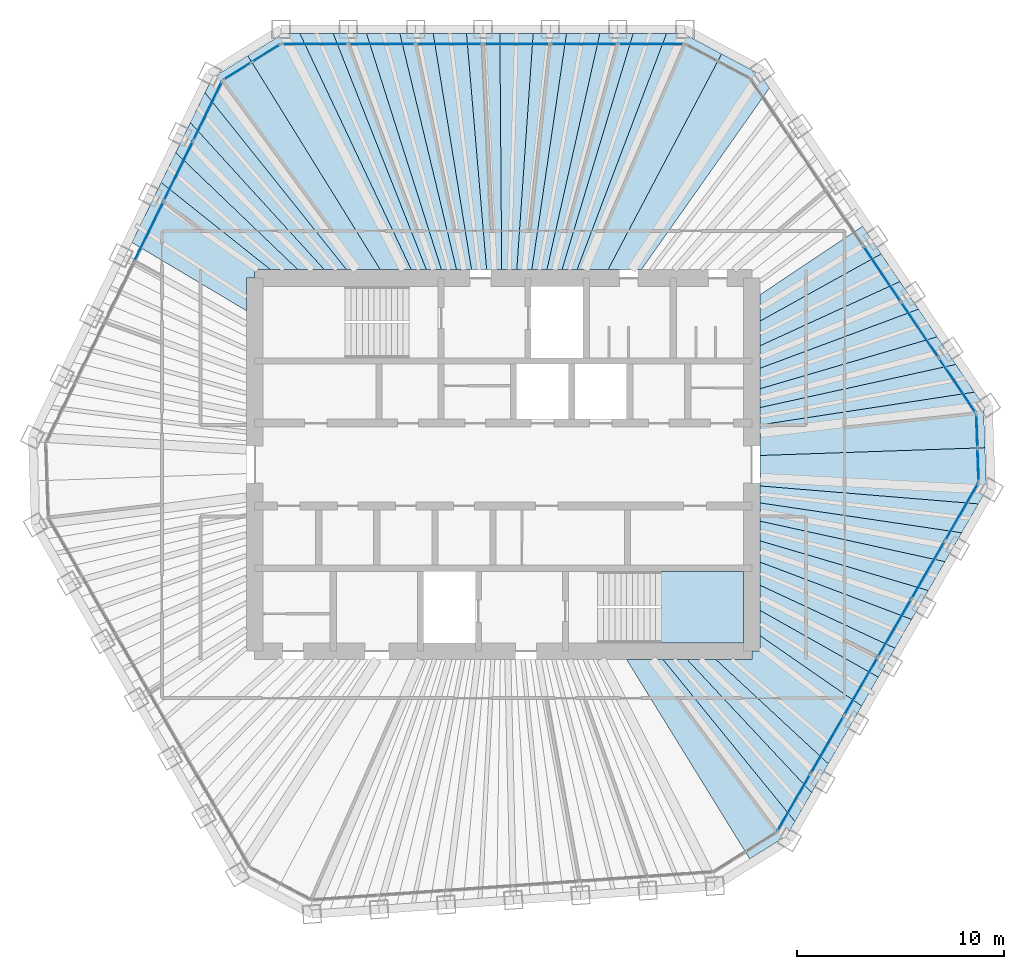
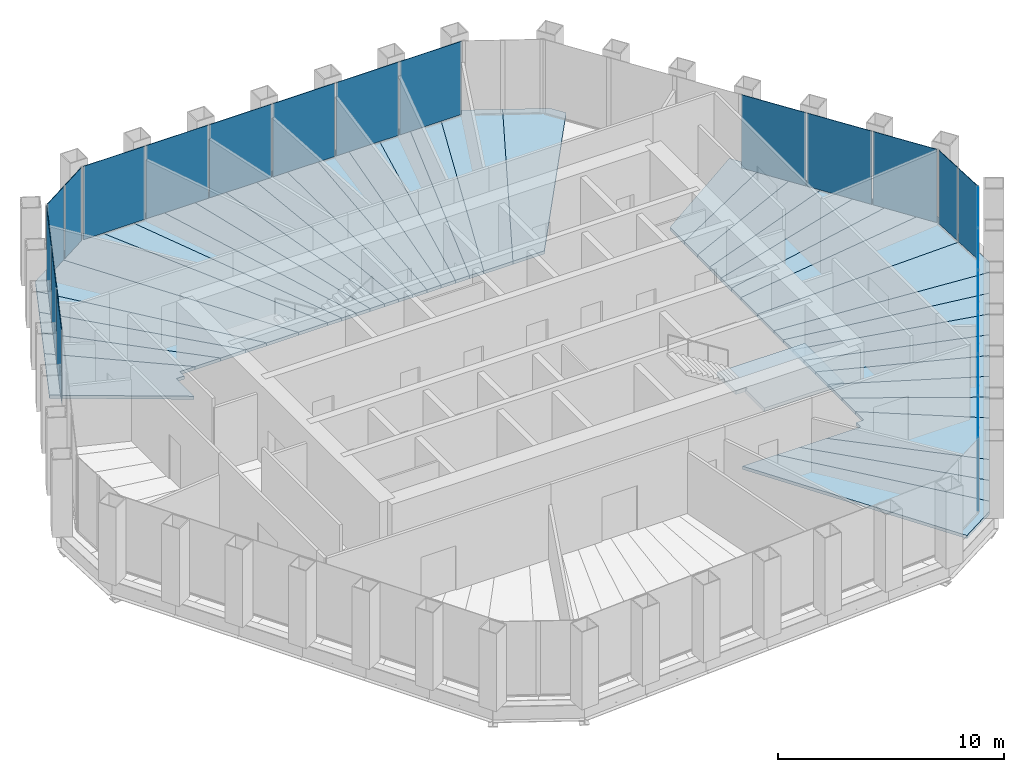
# One storey, part 10 of 15: 39 slabs, 22 plates, 7 elements without a shape of their own.
"""IFC4 building model written with IfcOpenShell, lengths in metres."""

from ifc_helpers import new_model, si_unit, direction, frame, origin, origin_2d, place, context, subcontext, project, spatial, polyline, rectangle, outline, extrude, material, layer, layer_set, type_object, element, aggregate, save


model = new_model("IFC4")

# Units and contexts
model_context = context("Model", 3, precision=1e-05, world=origin(), true_north=direction((0.0, 1.0)))
body_context = subcontext(model_context, "Body", "Model", "MODEL_VIEW")
ifc_project = project(units=[si_unit("LENGTHUNIT", "METRE"), si_unit("AREAUNIT", "SQUARE_METRE"), si_unit("VOLUMEUNIT", "CUBIC_METRE"), si_unit("PLANEANGLEUNIT", "RADIAN"), si_unit("MASSUNIT", "GRAM", prefix="KILO")], contexts=[model_context])

# Site, building, storey
site_placement = place(None, origin())
site = spatial("IfcSite", under=ifc_project, at=site_placement, CompositionType="ELEMENT")
building_placement = place(site_placement, origin())
building = spatial("IfcBuilding", under=site, at=building_placement, Name="Qingtian Harvest Tower", CompositionType="ELEMENT")
storey_placement = place(building_placement, frame((0.0, 0.0, 312.39990234375)))
storey = spatial("IfcBuildingStorey", under=building, at=storey_placement, Name="L69", CompositionType="ELEMENT", Elevation=312.39990234375)

# Slabs
ifc_material_1 = material(Name="Concrete fc' 35 MPa", Category="concrete")
ifc_layer_1 = layer(ifc_material_1, 0.169921875)
ifc_layer_set_1 = layer_set([ifc_layer_1], Name="Composite floor slab FS17 170")
slab_type_1 = type_object("IfcSlabType", Name="Composite floor slab FS17 170", PredefinedType="FLOOR", material=ifc_layer_set_1)
slab_1_placement = place(storey_placement, frame((0.0, 0.0, -0.169921875)))
element("IfcSlab", 1, at=slab_1_placement, inside=storey, type_object=slab_type_1, Name="Floor slab L69 panel D27", PredefinedType="FLOOR", context=body_context, shape_type="SweptSolid", body=[
    extrude(outline(polyline([(5.945556640625, -9.39990234375), (7.703125, -9.39990234375), (14.077880859375, -17.2265625), (13.6865234375, -17.904296875), (11.890380859375, -19.026611328125), (5.945556640625, -9.39990234375)])), origin(), (0.0, 0.0, 1.0), 0.169921875),
])
slab_2_placement = place(storey_placement, frame((0.0, 0.0, -0.169921875)))
element("IfcSlab", 2, at=slab_2_placement, inside=storey, type_object=slab_type_1, Name="Floor slab L69 panel D28", PredefinedType="FLOOR", context=body_context, shape_type="SweptSolid", body=[
    extrude(outline(polyline([(8.86279296875, -9.39990234375), (14.88232421875, -15.8330078125), (14.077880859375, -17.2265625), (7.703125, -9.39990234375), (8.86279296875, -9.39990234375)])), origin(), (0.0, 0.0, 1.0), 0.169921875),
])
slab_3_placement = place(storey_placement, frame((0.0, 0.0, -0.169921875)))
element("IfcSlab", 3, at=slab_3_placement, inside=storey, type_object=slab_type_1, Name="Floor slab L69 panel D29", PredefinedType="FLOOR", context=body_context, shape_type="SweptSolid", body=[
    extrude(outline(polyline([(10.248046875, -9.39990234375), (15.68701171875, -14.439453125), (14.88232421875, -15.8330078125), (8.86279296875, -9.39990234375), (10.248046875, -9.39990234375)])), origin(), (0.0, 0.0, 1.0), 0.169921875),
])
slab_4_placement = place(storey_placement, frame((0.0, 0.0, -0.169921875)))
element("IfcSlab", 4, at=slab_4_placement, inside=storey, type_object=slab_type_1, Name="Floor slab L69 panel D31", PredefinedType="FLOOR", context=body_context, shape_type="SweptSolid", body=[
    extrude(outline(polyline([(12.39990234375, -8.263427734375), (17.296630859375, -11.651123046875), (15.68701171875, -14.439453125), (10.248046875, -9.39990234375), (12.0, -9.39990234375), (12.0, -9.0), (12.39990234375, -9.0), (12.39990234375, -8.263427734375)])), origin(), (0.0, 0.0, 1.0), 0.169921875),
])
slab_5_placement = place(storey_placement, frame((0.0, 0.0, -0.169921875)))
element("IfcSlab", 5, at=slab_5_placement, inside=storey, type_object=slab_type_1, Name="Floor slab L69 panel D32", PredefinedType="FLOOR", context=body_context, shape_type="SweptSolid", body=[
    extrude(outline(polyline([(12.39990234375, -7.04296875), (18.099853515625, -10.26025390625), (17.296630859375, -11.651123046875), (12.39990234375, -8.263427734375), (12.39990234375, -7.04296875)])), origin(), (0.0, 0.0, 1.0), 0.169921875),
])
slab_6_placement = place(storey_placement, frame((0.0, 0.0, -0.169921875)))
element("IfcSlab", 6, at=slab_6_placement, inside=storey, type_object=slab_type_1, Name="Floor slab L69 panel D33", PredefinedType="FLOOR", context=body_context, shape_type="SweptSolid", body=[
    extrude(outline(polyline([(12.39990234375, -5.828125), (18.904296875, -8.86669921875), (18.099853515625, -10.26025390625), (12.39990234375, -7.04296875), (12.39990234375, -5.828125)])), origin(), (0.0, 0.0, 1.0), 0.169921875),
])
slab_7_placement = place(storey_placement, frame((0.0, 0.0, -0.169921875)))
element("IfcSlab", 7, at=slab_7_placement, inside=storey, type_object=slab_type_1, Name="Floor slab L69 panel D34", PredefinedType="FLOOR", context=body_context, shape_type="SweptSolid", body=[
    extrude(outline(polyline([(12.39990234375, -4.712646484375), (19.708740234375, -7.473388671875), (18.904296875, -8.86669921875), (12.39990234375, -5.828125), (12.39990234375, -4.712646484375)])), origin(), (0.0, 0.0, 1.0), 0.169921875),
])
slab_8_placement = place(storey_placement, frame((0.0, 0.0, -0.169921875)))
element("IfcSlab", 8, at=slab_8_placement, inside=storey, type_object=slab_type_1, Name="Floor slab L69 panel D35", PredefinedType="FLOOR", context=body_context, shape_type="SweptSolid", body=[
    extrude(outline(polyline([(12.39990234375, -3.684814453125), (20.51318359375, -6.080078125), (19.708740234375, -7.473388671875), (12.39990234375, -4.712646484375), (12.39990234375, -3.684814453125)])), origin(), (0.0, 0.0, 1.0), 0.169921875),
])
slab_9_placement = place(storey_placement, frame((0.0, 0.0, -0.169921875)))
element("IfcSlab", 9, at=slab_9_placement, inside=storey, type_object=slab_type_1, Name="Floor slab L69 panel D36", PredefinedType="FLOOR", context=body_context, shape_type="SweptSolid", body=[
    extrude(outline(polyline([(12.39990234375, -2.734619140625), (21.317626953125, -4.6865234375), (20.51318359375, -6.080078125), (12.39990234375, -3.684814453125), (12.39990234375, -2.734619140625)])), origin(), (0.0, 0.0, 1.0), 0.169921875),
])
slab_10_placement = place(storey_placement, frame((0.0, 0.0, -0.169921875)))
element("IfcSlab", 10, at=slab_10_placement, inside=storey, type_object=slab_type_1, Name="Floor slab L69 panel D37", PredefinedType="FLOOR", context=body_context, shape_type="SweptSolid", body=[
    extrude(outline(polyline([(12.39990234375, -1.853515625), (22.122314453125, -3.293212890625), (21.317626953125, -4.6865234375), (12.39990234375, -2.734619140625), (12.39990234375, -1.853515625)])), origin(), (0.0, 0.0, 1.0), 0.169921875),
])
slab_11_placement = place(storey_placement, frame((0.0, 0.0, -0.169921875)))
element("IfcSlab", 11, at=slab_11_placement, inside=storey, type_object=slab_type_1, Name="Floor slab L69 panel D38", PredefinedType="FLOOR", context=body_context, shape_type="SweptSolid", body=[
    extrude(outline(polyline([(12.39990234375, -1.034423828125), (22.9267578125, -1.89990234375), (22.122314453125, -3.293212890625), (12.39990234375, -1.853515625), (12.39990234375, -1.034423828125)])), origin(), (0.0, 0.0, 1.0), 0.169921875),
])
slab_12_placement = place(storey_placement, frame((0.0, 0.0, -0.169921875)))
element("IfcSlab", 12, at=slab_12_placement, inside=storey, type_object=slab_type_1, Name="Floor slab L69 panel D39", PredefinedType="FLOOR", context=body_context, shape_type="SweptSolid", body=[
    extrude(outline(polyline([(12.39990234375, -1.034423828125), (12.39990234375, 0.436279296875), (23.246826171875, 0.811767578125), (23.31787109375, -1.22216796875), (22.9267578125, -1.89990234375), (12.39990234375, -1.034423828125)])), origin(), (0.0, 0.0, 1.0), 0.169921875),
])
slab_13_placement = place(storey_placement, frame((0.0, 0.0, -0.169921875)))
element("IfcSlab", 13, at=slab_13_placement, inside=storey, type_object=slab_type_1, Name="Floor slab L69 panel D40", PredefinedType="FLOOR", context=body_context, shape_type="SweptSolid", body=[
    extrude(outline(polyline([(12.39990234375, 0.436279296875), (12.39990234375, 1.91357421875), (22.73828125, 3.494384765625), (23.17578125, 2.845947265625), (23.246826171875, 0.811767578125), (12.39990234375, 0.436279296875)])), origin(), (0.0, 0.0, 1.0), 0.169921875),
])
slab_14_placement = place(storey_placement, frame((0.0, 0.0, -0.169921875)))
element("IfcSlab", 14, at=slab_14_placement, inside=storey, type_object=slab_type_1, Name="Floor slab L69 panel D41", PredefinedType="FLOOR", context=body_context, shape_type="SweptSolid", body=[
    extrude(outline(polyline([(12.39990234375, 2.75048828125), (21.838623046875, 4.828369140625), (22.73828125, 3.494384765625), (12.39990234375, 1.91357421875), (12.39990234375, 2.75048828125)])), origin(), (0.0, 0.0, 1.0), 0.169921875),
])
slab_15_placement = place(storey_placement, frame((0.0, 0.0, -0.169921875)))
element("IfcSlab", 15, at=slab_15_placement, inside=storey, type_object=slab_type_1, Name="Floor slab L69 panel D42", PredefinedType="FLOOR", context=body_context, shape_type="SweptSolid", body=[
    extrude(outline(polyline([(12.39990234375, 3.659423828125), (20.93896484375, 6.162353515625), (21.838623046875, 4.828369140625), (12.39990234375, 2.75048828125), (12.39990234375, 3.659423828125)])), origin(), (0.0, 0.0, 1.0), 0.169921875),
])
slab_16_placement = place(storey_placement, frame((0.0, 0.0, -0.169921875)))
element("IfcSlab", 16, at=slab_16_placement, inside=storey, type_object=slab_type_1, Name="Floor slab L69 panel D43", PredefinedType="FLOOR", context=body_context, shape_type="SweptSolid", body=[
    extrude(outline(polyline([(12.39990234375, 4.64990234375), (20.0390625, 7.49609375), (20.93896484375, 6.162353515625), (12.39990234375, 3.659423828125), (12.39990234375, 4.64990234375)])), origin(), (0.0, 0.0, 1.0), 0.169921875),
])
slab_17_placement = place(storey_placement, frame((0.0, 0.0, -0.169921875)))
element("IfcSlab", 17, at=slab_17_placement, inside=storey, type_object=slab_type_1, Name="Floor slab L69 panel D44", PredefinedType="FLOOR", context=body_context, shape_type="SweptSolid", body=[
    extrude(outline(polyline([(12.39990234375, 5.73388671875), (19.139404296875, 8.830078125), (20.0390625, 7.49609375), (12.39990234375, 4.64990234375), (12.39990234375, 5.73388671875)])), origin(), (0.0, 0.0, 1.0), 0.169921875),
])
slab_18_placement = place(storey_placement, frame((0.0, 0.0, -0.169921875)))
element("IfcSlab", 18, at=slab_18_placement, inside=storey, type_object=slab_type_1, Name="Floor slab L69 panel D45", PredefinedType="FLOOR", context=body_context, shape_type="SweptSolid", body=[
    extrude(outline(polyline([(12.39990234375, 6.925048828125), (18.23974609375, 10.1640625), (19.139404296875, 8.830078125), (12.39990234375, 5.73388671875), (12.39990234375, 6.925048828125)])), origin(), (0.0, 0.0, 1.0), 0.169921875),
])
slab_19_placement = place(storey_placement, frame((0.0, 0.0, -0.169921875)))
element("IfcSlab", 19, at=slab_19_placement, inside=storey, type_object=slab_type_1, Name="Floor slab L69 panel D46", PredefinedType="FLOOR", context=body_context, shape_type="SweptSolid", body=[
    extrude(outline(polyline([(12.39990234375, 8.199462890625), (17.340576171875, 11.4970703125), (18.23974609375, 10.1640625), (12.39990234375, 6.925048828125), (12.39990234375, 8.199462890625)])), origin(), (0.0, 0.0, 1.0), 0.169921875),
])
slab_20_placement = place(storey_placement, frame((0.0, 0.0, -0.169921875)))
element("IfcSlab", 20, at=slab_20_placement, inside=storey, type_object=slab_type_1, Name="Floor slab L69 panel D52", PredefinedType="FLOOR", context=body_context, shape_type="SweptSolid", body=[
    extrude(outline(polyline([(6.662109375, 9.39990234375), (5.05419921875, 9.39990234375), (10.533935546875, 19.809814453125), (12.404296875, 18.8154296875), (12.841796875, 18.16650390625), (6.662109375, 9.39990234375)])), origin(), (0.0, 0.0, 1.0), 0.169921875),
])
slab_21_placement = place(storey_placement, frame((0.0, 0.0, -0.169921875)))
element("IfcSlab", 21, at=slab_21_placement, inside=storey, type_object=slab_type_1, Name="Floor slab L69 panel D53", PredefinedType="FLOOR", context=body_context, shape_type="SweptSolid", body=[
    extrude(outline(polyline([(3.560302734375, 9.39990234375), (7.880126953125, 20.804931640625), (8.662109375, 20.804931640625), (10.533935546875, 19.809814453125), (5.05419921875, 9.39990234375), (3.560302734375, 9.39990234375)])), origin(), (0.0, 0.0, 1.0), 0.169921875),
])
slab_22_placement = place(storey_placement, frame((0.0, 0.0, -0.169921875)))
element("IfcSlab", 22, at=slab_22_placement, inside=storey, type_object=slab_type_1, Name="Floor slab L69 panel D54", PredefinedType="FLOOR", context=body_context, shape_type="SweptSolid", body=[
    extrude(outline(polyline([(2.833251953125, 9.39990234375), (6.27099609375, 20.804931640625), (7.880126953125, 20.804931640625), (3.560302734375, 9.39990234375), (2.833251953125, 9.39990234375)])), origin(), (0.0, 0.0, 1.0), 0.169921875),
])
slab_23_placement = place(storey_placement, frame((0.0, 0.0, -0.169921875)))
element("IfcSlab", 23, at=slab_23_placement, inside=storey, type_object=slab_type_1, Name="Floor slab L69 panel D55", PredefinedType="FLOOR", context=body_context, shape_type="SweptSolid", body=[
    extrude(outline(polyline([(2.1064453125, 9.39990234375), (4.662109375, 20.804931640625), (6.27099609375, 20.804931640625), (2.833251953125, 9.39990234375), (2.1064453125, 9.39990234375)])), origin(), (0.0, 0.0, 1.0), 0.169921875),
])
slab_24_placement = place(storey_placement, frame((0.0, 0.0, -0.169921875)))
element("IfcSlab", 24, at=slab_24_placement, inside=storey, type_object=slab_type_1, Name="Floor slab L69 panel D56", PredefinedType="FLOOR", context=body_context, shape_type="SweptSolid", body=[
    extrude(outline(polyline([(1.37939453125, 9.39990234375), (3.05322265625, 20.804931640625), (4.662109375, 20.804931640625), (2.1064453125, 9.39990234375), (1.37939453125, 9.39990234375)])), origin(), (0.0, 0.0, 1.0), 0.169921875),
])
slab_25_placement = place(storey_placement, frame((0.0, 0.0, -0.169921875)))
element("IfcSlab", 25, at=slab_25_placement, inside=storey, type_object=slab_type_1, Name="Floor slab L69 panel D57", PredefinedType="FLOOR", context=body_context, shape_type="SweptSolid", body=[
    extrude(outline(polyline([(0.652587890625, 9.39990234375), (1.4443359375, 20.804931640625), (3.05322265625, 20.804931640625), (1.37939453125, 9.39990234375), (0.652587890625, 9.39990234375)])), origin(), (0.0, 0.0, 1.0), 0.169921875),
])
slab_26_placement = place(storey_placement, frame((0.0, 0.0, -0.169921875)))
element("IfcSlab", 26, at=slab_26_placement, inside=storey, type_object=slab_type_1, Name="Floor slab L69 panel D58", PredefinedType="FLOOR", context=body_context, shape_type="SweptSolid", body=[
    extrude(outline(polyline([(-0.074462890625, 9.39990234375), (-0.16455078125, 20.804931640625), (1.4443359375, 20.804931640625), (0.652587890625, 9.39990234375), (-0.074462890625, 9.39990234375)])), origin(), (0.0, 0.0, 1.0), 0.169921875),
])
slab_27_placement = place(storey_placement, frame((0.0, 0.0, -0.169921875)))
element("IfcSlab", 27, at=slab_27_placement, inside=storey, type_object=slab_type_1, Name="Floor slab L69 panel D59", PredefinedType="FLOOR", context=body_context, shape_type="SweptSolid", body=[
    extrude(outline(polyline([(-0.80126953125, 9.39990234375), (-1.773681640625, 20.804931640625), (-0.16455078125, 20.804931640625), (-0.074462890625, 9.39990234375), (-0.80126953125, 9.39990234375)])), origin(), (0.0, 0.0, 1.0), 0.169921875),
])
slab_28_placement = place(storey_placement, frame((0.0, 0.0, -0.169921875)))
element("IfcSlab", 28, at=slab_28_placement, inside=storey, type_object=slab_type_1, Name="Floor slab L69 panel D60", PredefinedType="FLOOR", context=body_context, shape_type="SweptSolid", body=[
    extrude(outline(polyline([(-1.5283203125, 9.39990234375), (-3.382568359375, 20.804931640625), (-1.773681640625, 20.804931640625), (-0.80126953125, 9.39990234375), (-1.5283203125, 9.39990234375)])), origin(), (0.0, 0.0, 1.0), 0.169921875),
])
slab_29_placement = place(storey_placement, frame((0.0, 0.0, -0.169921875)))
element("IfcSlab", 29, at=slab_29_placement, inside=storey, type_object=slab_type_1, Name="Floor slab L69 panel D61", PredefinedType="FLOOR", context=body_context, shape_type="SweptSolid", body=[
    extrude(outline(polyline([(-2.255126953125, 9.39990234375), (-4.991455078125, 20.804931640625), (-3.382568359375, 20.804931640625), (-1.5283203125, 9.39990234375), (-2.255126953125, 9.39990234375)])), origin(), (0.0, 0.0, 1.0), 0.169921875),
])
slab_30_placement = place(storey_placement, frame((0.0, 0.0, -0.169921875)))
element("IfcSlab", 30, at=slab_30_placement, inside=storey, type_object=slab_type_1, Name="Floor slab L69 panel D62", PredefinedType="FLOOR", context=body_context, shape_type="SweptSolid", body=[
    extrude(outline(polyline([(-2.982177734375, 9.39990234375), (-6.600341796875, 20.804931640625), (-4.991455078125, 20.804931640625), (-2.255126953125, 9.39990234375), (-2.982177734375, 9.39990234375)])), origin(), (0.0, 0.0, 1.0), 0.169921875),
])
slab_31_placement = place(storey_placement, frame((0.0, 0.0, -0.169921875)))
element("IfcSlab", 31, at=slab_31_placement, inside=storey, type_object=slab_type_1, Name="Floor slab L69 panel D63", PredefinedType="FLOOR", context=body_context, shape_type="SweptSolid", body=[
    extrude(outline(polyline([(-3.708984375, 9.39990234375), (-8.209228515625, 20.804931640625), (-6.600341796875, 20.804931640625), (-2.982177734375, 9.39990234375), (-3.708984375, 9.39990234375)])), origin(), (0.0, 0.0, 1.0), 0.169921875),
])
slab_32_placement = place(storey_placement, frame((0.0, 0.0, -0.169921875)))
element("IfcSlab", 32, at=slab_32_placement, inside=storey, type_object=slab_type_1, Name="Floor slab L69 panel D64", PredefinedType="FLOOR", context=body_context, shape_type="SweptSolid", body=[
    extrude(outline(polyline([(-4.43603515625, 9.39990234375), (-9.818115234375, 20.804931640625), (-8.209228515625, 20.804931640625), (-3.708984375, 9.39990234375), (-4.43603515625, 9.39990234375)])), origin(), (0.0, 0.0, 1.0), 0.169921875),
])
slab_33_placement = place(storey_placement, frame((0.0, 0.0, -0.169921875)))
element("IfcSlab", 33, at=slab_33_placement, inside=storey, type_object=slab_type_1, Name="Floor slab L69 panel D65", PredefinedType="FLOOR", context=body_context, shape_type="SweptSolid", body=[
    extrude(outline(polyline([(-4.43603515625, 9.39990234375), (-5.935302734375, 9.39990234375), (-12.327392578125, 19.725830078125), (-10.600341796875, 20.804931640625), (-9.818115234375, 20.804931640625), (-4.43603515625, 9.39990234375)])), origin(), (0.0, 0.0, 1.0), 0.169921875),
])
slab_34_placement = place(storey_placement, frame((0.0, 0.0, -0.169921875)))
element("IfcSlab", 34, at=slab_34_placement, inside=storey, type_object=slab_type_1, Name="Floor slab L69 panel D66", PredefinedType="FLOOR", context=body_context, shape_type="SweptSolid", body=[
    extrude(outline(polyline([(-5.935302734375, 9.39990234375), (-7.560302734375, 9.39990234375), (-14.3955078125, 17.944580078125), (-14.052490234375, 18.64794921875), (-12.327392578125, 19.725830078125), (-5.935302734375, 9.39990234375)])), origin(), (0.0, 0.0, 1.0), 0.169921875),
])
slab_35_placement = place(storey_placement, frame((0.0, 0.0, -0.169921875)))
element("IfcSlab", 35, at=slab_35_placement, inside=storey, type_object=slab_type_1, Name="Floor slab L69 panel D67", PredefinedType="FLOOR", context=body_context, shape_type="SweptSolid", body=[
    extrude(outline(polyline([(-8.62890625, 9.39990234375), (-15.100830078125, 16.498291015625), (-14.3955078125, 17.944580078125), (-7.560302734375, 9.39990234375), (-8.62890625, 9.39990234375)])), origin(), (0.0, 0.0, 1.0), 0.169921875),
])
slab_36_placement = place(storey_placement, frame((0.0, 0.0, -0.169921875)))
element("IfcSlab", 36, at=slab_36_placement, inside=storey, type_object=slab_type_1, Name="Floor slab L69 panel D68", PredefinedType="FLOOR", context=body_context, shape_type="SweptSolid", body=[
    extrude(outline(polyline([(-9.90380859375, 9.39990234375), (-15.80615234375, 15.05224609375), (-15.100830078125, 16.498291015625), (-8.62890625, 9.39990234375), (-9.90380859375, 9.39990234375)])), origin(), (0.0, 0.0, 1.0), 0.169921875),
])
slab_37_placement = place(storey_placement, frame((0.0, 0.0, -0.169921875)))
element("IfcSlab", 37, at=slab_37_placement, inside=storey, type_object=slab_type_1, Name="Floor slab L69 panel D69", PredefinedType="FLOOR", context=body_context, shape_type="SweptSolid", body=[
    extrude(outline(polyline([(-11.224853515625, 9.39990234375), (-16.509765625, 13.609619140625), (-15.80615234375, 15.05224609375), (-9.90380859375, 9.39990234375), (-11.224853515625, 9.39990234375)])), origin(), (0.0, 0.0, 1.0), 0.169921875),
])
slab_38_placement = place(storey_placement, frame((0.0, 0.0, -0.169921875)))
element("IfcSlab", 38, at=slab_38_placement, inside=storey, type_object=slab_type_1, Name="Floor slab L69 panel D70", PredefinedType="FLOOR", context=body_context, shape_type="SweptSolid", body=[
    extrude(outline(polyline([(-12.0, 9.0), (-12.39990234375, 9.0), (-12.39990234375, 7.42578125), (-17.921875, 10.714599609375), (-16.509765625, 13.609619140625), (-11.224853515625, 9.39990234375), (-12.0, 9.39990234375), (-12.0, 9.0)])), origin(), (0.0, 0.0, 1.0), 0.169921875),
])

# Curtain wall, plates
ifc_material_2 = material(Name="Bronze-anodised aluminium curtain wall", Category="aluminium")
curtain_wall_type = type_object("IfcCurtainWallType", Name="Curtain wall CW5 upper office", PredefinedType="USERDEFINED", material=ifc_material_2)
curtain_wall_1_placement = place(storey_placement, origin())
curtain_wall_1 = element("IfcCurtainWall", 39, at=curtain_wall_1_placement, inside=storey, type_object=curtain_wall_type, Name="Curtain wall CW5 L69 N0-5", ObjectType="RECESSED CURTAIN WALL", PredefinedType="USERDEFINED")
ifc_material_3 = material(Name="Bronze-tinted laminated insulating glass", Category="glass")
ifc_layer_2 = layer(ifc_material_3, 0.030029296875)
ifc_layer_set_2 = layer_set([ifc_layer_2], Name="Glazed panel CWP tinted IGU")
plate_type = type_object("IfcPlateType", Name="Glazed panel CWP tinted IGU", PredefinedType="CURTAIN_PANEL", material=ifc_layer_set_2)
plate_1_placement = place(storey_placement, frame((-9.08203125, 20.300048828125, 0.06494140625), z_axis=(0.0, 0.0, 1.0), x_axis=(1.0, 0.0, 0.0)))
plate_1 = element("IfcPlate", 40, at=plate_1_placement, type_object=plate_type, Name="CW5 panel 1.1", PredefinedType="CURTAIN_PANEL", context=body_context, shape_type="SweptSolid", body=[
    extrude(rectangle(XDim=3.150634765625, YDim=0.030029296875, at=origin_2d()), origin(), (0.0, 0.0, 1.0), 3.965087890625),
])
plate_2_placement = place(storey_placement, frame((-5.85009765625, 20.300048828125, 0.06494140625), z_axis=(0.0, 0.0, 1.0), x_axis=(1.0, 0.0, 0.0)))
plate_2 = element("IfcPlate", 41, at=plate_2_placement, type_object=plate_type, Name="CW5 panel 2.1", PredefinedType="CURTAIN_PANEL", context=body_context, shape_type="SweptSolid", body=[
    extrude(rectangle(XDim=3.18310546875, YDim=0.030029296875, at=origin_2d()), origin(), (0.0, 0.0, 1.0), 3.965087890625),
])
plate_3_placement = place(storey_placement, frame((-2.602294921875, 20.300048828125, 0.06494140625), z_axis=(0.0, 0.0, 1.0), x_axis=(1.0, 0.0, 0.0)))
plate_3 = element("IfcPlate", 42, at=plate_3_placement, type_object=plate_type, Name="CW5 panel 3.1", PredefinedType="CURTAIN_PANEL", context=body_context, shape_type="SweptSolid", body=[
    extrude(rectangle(XDim=3.18310546875, YDim=0.030029296875, at=origin_2d()), origin(), (0.0, 0.0, 1.0), 3.965087890625),
])
plate_4_placement = place(storey_placement, frame((0.645751953125, 20.300048828125, 0.06494140625), z_axis=(0.0, 0.0, 1.0), x_axis=(1.0, 0.0, 0.0)))
plate_4 = element("IfcPlate", 43, at=plate_4_placement, type_object=plate_type, Name="CW5 panel 4.1", PredefinedType="CURTAIN_PANEL", context=body_context, shape_type="SweptSolid", body=[
    extrude(rectangle(XDim=3.18310546875, YDim=0.030029296875, at=origin_2d()), origin(), (0.0, 0.0, 1.0), 3.965087890625),
])
plate_5_placement = place(storey_placement, frame((3.893798828125, 20.300048828125, 0.06494140625), z_axis=(0.0, 0.0, 1.0), x_axis=(1.0, 0.0, 0.0)))
plate_5 = element("IfcPlate", 44, at=plate_5_placement, type_object=plate_type, Name="CW5 panel 5.1", PredefinedType="CURTAIN_PANEL", context=body_context, shape_type="SweptSolid", body=[
    extrude(rectangle(XDim=3.18310546875, YDim=0.030029296875, at=origin_2d()), origin(), (0.0, 0.0, 1.0), 3.965087890625),
])
plate_6_placement = place(storey_placement, frame((7.125732421875, 20.300048828125, 0.06494140625), z_axis=(0.0, 0.0, 1.0), x_axis=(1.0, 0.0, 0.0)))
plate_6 = element("IfcPlate", 45, at=plate_6_placement, type_object=plate_type, Name="CW5 panel 6.1", PredefinedType="CURTAIN_PANEL", context=body_context, shape_type="SweptSolid", body=[
    extrude(rectangle(XDim=3.150634765625, YDim=0.030029296875, at=origin_2d()), origin(), (0.0, 0.0, 1.0), 3.965087890625),
])
aggregate(curtain_wall_1, [plate_1, plate_2, plate_3, plate_4, plate_5, plate_6])

curtain_wall_2_placement = place(storey_placement, origin())
curtain_wall_2 = element("IfcCurtainWall", 46, at=curtain_wall_2_placement, inside=storey, type_object=curtain_wall_type, Name="Curtain wall CW5 L69 NE0-5", ObjectType="RECESSED CURTAIN WALL", PredefinedType="USERDEFINED")
plate_7_placement = place(storey_placement, frame((18.28466796875, 9.1943359375, 0.06494140625), z_axis=(0.0, 0.0, 1.0), x_axis=(0.559192903471, -0.829037572555, 0.0)))
plate_7 = element("IfcPlate", 47, at=plate_7_placement, type_object=plate_type, Name="CW5 panel 4.1", PredefinedType="CURTAIN_PANEL", context=body_context, shape_type="SweptSolid", body=[
    extrude(rectangle(XDim=3.18310546875, YDim=0.030029296875, at=origin_2d()), origin(), (0.0, 0.0, 1.0), 3.965087890625),
])
plate_8_placement = place(storey_placement, frame((20.100830078125, 6.50146484375, 0.06494140625), z_axis=(0.0, 0.0, 1.0), x_axis=(0.559192903471, -0.829037572555, 0.0)))
plate_8 = element("IfcPlate", 48, at=plate_8_placement, type_object=plate_type, Name="CW5 panel 5.1", PredefinedType="CURTAIN_PANEL", context=body_context, shape_type="SweptSolid", body=[
    extrude(rectangle(XDim=3.18310546875, YDim=0.030029296875, at=origin_2d()), origin(), (0.0, 0.0, 1.0), 3.965087890625),
])
plate_9_placement = place(storey_placement, frame((21.907958984375, 3.822265625, 0.06494140625), z_axis=(0.0, 0.0, 1.0), x_axis=(0.559192903471, -0.829037572555, 0.0)))
plate_9 = element("IfcPlate", 49, at=plate_9_placement, type_object=plate_type, Name="CW5 panel 6.1", PredefinedType="CURTAIN_PANEL", context=body_context, shape_type="SweptSolid", body=[
    extrude(rectangle(XDim=3.150634765625, YDim=0.030029296875, at=origin_2d()), origin(), (0.0, 0.0, 1.0), 3.965087890625),
])
aggregate(curtain_wall_2, [plate_7, plate_8, plate_9])

curtain_wall_3_placement = place(storey_placement, origin())
curtain_wall_3 = element("IfcCurtainWall", 50, at=curtain_wall_3_placement, inside=storey, type_object=curtain_wall_type, Name="Curtain wall CW5 L69 NEC", ObjectType="RECESSED CURTAIN WALL", PredefinedType="USERDEFINED")
plate_10_placement = place(storey_placement, frame((22.85498046875, 1.614501953125, 0.06494140625), z_axis=(0.0, 0.0, 1.0), x_axis=(0.034899496703, -0.999390827019, 0.0)))
plate_10 = element("IfcPlate", 51, at=plate_10_placement, type_object=plate_type, Name="CW5 panel 1.1", PredefinedType="CURTAIN_PANEL", context=body_context, shape_type="SweptSolid", body=[
    extrude(rectangle(XDim=1.56689453125, YDim=0.030029296875, at=origin_2d()), origin(), (0.0, 0.0, 1.0), 3.965087890625),
])
plate_11_placement = place(storey_placement, frame((22.911865234375, -0.016357421875, 0.06494140625), z_axis=(0.0, 0.0, 1.0), x_axis=(0.034899496703, -0.999390827019, 0.0)))
plate_11 = element("IfcPlate", 52, at=plate_11_placement, type_object=plate_type, Name="CW5 panel 2.1", PredefinedType="CURTAIN_PANEL", context=body_context, shape_type="SweptSolid", body=[
    extrude(rectangle(XDim=1.56689453125, YDim=0.030029296875, at=origin_2d()), origin(), (0.0, 0.0, 1.0), 3.965087890625),
])
aggregate(curtain_wall_3, [plate_10, plate_11])

curtain_wall_4_placement = place(storey_placement, origin())
curtain_wall_4 = element("IfcCurtainWall", 53, at=curtain_wall_4_placement, inside=storey, type_object=curtain_wall_type, Name="Curtain wall CW5 L69 SE0-5", ObjectType="RECESSED CURTAIN WALL", PredefinedType="USERDEFINED")
plate_12_placement = place(storey_placement, frame((22.121337890625, -2.28466796875, 0.06494140625), z_axis=(0.0, 0.0, 1.0), x_axis=(-0.5, -0.866025403784, 0.0)))
plate_12 = element("IfcPlate", 54, at=plate_12_placement, type_object=plate_type, Name="CW5 panel 1.1", PredefinedType="CURTAIN_PANEL", context=body_context, shape_type="SweptSolid", body=[
    extrude(rectangle(XDim=3.150634765625, YDim=0.030029296875, at=origin_2d()), origin(), (0.0, 0.0, 1.0), 3.965087890625),
])
plate_13_placement = place(storey_placement, frame((20.50537109375, -5.08349609375, 0.06494140625), z_axis=(0.0, 0.0, 1.0), x_axis=(-0.5, -0.866025403784, 0.0)))
plate_13 = element("IfcPlate", 55, at=plate_13_placement, type_object=plate_type, Name="CW5 panel 2.1", PredefinedType="CURTAIN_PANEL", context=body_context, shape_type="SweptSolid", body=[
    extrude(rectangle(XDim=3.18310546875, YDim=0.030029296875, at=origin_2d()), origin(), (0.0, 0.0, 1.0), 3.965087890625),
])
plate_14_placement = place(storey_placement, frame((18.88134765625, -7.896484375, 0.06494140625), z_axis=(0.0, 0.0, 1.0), x_axis=(-0.5, -0.866025403784, 0.0)))
plate_14 = element("IfcPlate", 56, at=plate_14_placement, type_object=plate_type, Name="CW5 panel 3.1", PredefinedType="CURTAIN_PANEL", context=body_context, shape_type="SweptSolid", body=[
    extrude(rectangle(XDim=3.18310546875, YDim=0.030029296875, at=origin_2d()), origin(), (0.0, 0.0, 1.0), 3.965087890625),
])
plate_15_placement = place(storey_placement, frame((17.25732421875, -10.709228515625, 0.06494140625), z_axis=(0.0, 0.0, 1.0), x_axis=(-0.5, -0.866025403784, 0.0)))
plate_15 = element("IfcPlate", 57, at=plate_15_placement, type_object=plate_type, Name="CW5 panel 4.1", PredefinedType="CURTAIN_PANEL", context=body_context, shape_type="SweptSolid", body=[
    extrude(rectangle(XDim=3.18310546875, YDim=0.030029296875, at=origin_2d()), origin(), (0.0, 0.0, 1.0), 3.965087890625),
])
plate_16_placement = place(storey_placement, frame((15.63330078125, -13.522216796875, 0.06494140625), z_axis=(0.0, 0.0, 1.0), x_axis=(-0.5, -0.866025403784, 0.0)))
plate_16 = element("IfcPlate", 58, at=plate_16_placement, type_object=plate_type, Name="CW5 panel 5.1", PredefinedType="CURTAIN_PANEL", context=body_context, shape_type="SweptSolid", body=[
    extrude(rectangle(XDim=3.18310546875, YDim=0.030029296875, at=origin_2d()), origin(), (0.0, 0.0, 1.0), 3.965087890625),
])
plate_17_placement = place(storey_placement, frame((14.017578125, -16.321044921875, 0.06494140625), z_axis=(0.0, 0.0, 1.0), x_axis=(-0.5, -0.866025403784, 0.0)))
plate_17 = element("IfcPlate", 59, at=plate_17_placement, type_object=plate_type, Name="CW5 panel 6.1", PredefinedType="CURTAIN_PANEL", context=body_context, shape_type="SweptSolid", body=[
    extrude(rectangle(XDim=3.150634765625, YDim=0.030029296875, at=origin_2d()), origin(), (0.0, 0.0, 1.0), 3.965087890625),
])
aggregate(curtain_wall_4, [plate_12, plate_13, plate_14, plate_15, plate_16, plate_17])

curtain_wall_5_placement = place(storey_placement, origin())
curtain_wall_5 = element("IfcCurtainWall", 60, at=curtain_wall_5_placement, inside=storey, type_object=curtain_wall_type, Name="Curtain wall CW5 L69 NW0-5", ObjectType="RECESSED CURTAIN WALL", PredefinedType="USERDEFINED")
plate_18_placement = place(storey_placement, frame((-17.104736328125, 11.23779296875, 0.06494140625), z_axis=(0.0, 0.0, 1.0), x_axis=(0.438371146789, 0.898794046299, 0.0)))
plate_18 = element("IfcPlate", 61, at=plate_18_placement, type_object=plate_type, Name="CW5 panel 4.1", PredefinedType="CURTAIN_PANEL", context=body_context, shape_type="SweptSolid", body=[
    extrude(rectangle(XDim=3.18310546875, YDim=0.030029296875, at=origin_2d()), origin(), (0.0, 0.0, 1.0), 3.965087890625),
])
plate_19_placement = place(storey_placement, frame((-15.680908203125, 14.156982421875, 0.06494140625), z_axis=(0.0, 0.0, 1.0), x_axis=(0.438371146789, 0.898794046299, 0.0)))
plate_19 = element("IfcPlate", 62, at=plate_19_placement, type_object=plate_type, Name="CW5 panel 5.1", PredefinedType="CURTAIN_PANEL", context=body_context, shape_type="SweptSolid", body=[
    extrude(rectangle(XDim=3.18310546875, YDim=0.030029296875, at=origin_2d()), origin(), (0.0, 0.0, 1.0), 3.965087890625),
])
plate_20_placement = place(storey_placement, frame((-14.26416015625, 17.061767578125, 0.06494140625), z_axis=(0.0, 0.0, 1.0), x_axis=(0.438371146789, 0.898794046299, 0.0)))
plate_20 = element("IfcPlate", 63, at=plate_20_placement, type_object=plate_type, Name="CW5 panel 6.1", PredefinedType="CURTAIN_PANEL", context=body_context, shape_type="SweptSolid", body=[
    extrude(rectangle(XDim=3.150634765625, YDim=0.030029296875, at=origin_2d()), origin(), (0.0, 0.0, 1.0), 3.965087890625),
])
aggregate(curtain_wall_5, [plate_18, plate_19, plate_20])

curtain_wall_6_placement = place(storey_placement, origin())
curtain_wall_6 = element("IfcCurtainWall", 64, at=curtain_wall_6_placement, inside=storey, type_object=curtain_wall_type, Name="Curtain wall CW5 L69 NWC", ObjectType="RECESSED CURTAIN WALL", PredefinedType="USERDEFINED")
plate_21_placement = place(storey_placement, frame((-12.82568359375, 18.985595703125, 0.06494140625), z_axis=(0.0, 0.0, 1.0), x_axis=(0.848048096156, 0.529919264233, 0.0)))
plate_21 = element("IfcPlate", 65, at=plate_21_placement, type_object=plate_type, Name="CW5 panel 1.1", PredefinedType="CURTAIN_PANEL", context=body_context, shape_type="SweptSolid", body=[
    extrude(rectangle(XDim=1.56689453125, YDim=0.030029296875, at=origin_2d()), origin(), (0.0, 0.0, 1.0), 3.965087890625),
])
plate_22_placement = place(storey_placement, frame((-11.441650390625, 19.850341796875, 0.06494140625), z_axis=(0.0, 0.0, 1.0), x_axis=(0.848048096156, 0.529919264233, 0.0)))
plate_22 = element("IfcPlate", 66, at=plate_22_placement, type_object=plate_type, Name="CW5 panel 2.1", PredefinedType="CURTAIN_PANEL", context=body_context, shape_type="SweptSolid", body=[
    extrude(rectangle(XDim=1.56689453125, YDim=0.030029296875, at=origin_2d()), origin(), (0.0, 0.0, 1.0), 3.965087890625),
])
aggregate(curtain_wall_6, [plate_21, plate_22])

# Stair, slab
ifc_material_4 = material(Name="Concrete fc' 35 MPa", Category="concrete")
stair_type = type_object("IfcStairType", Name="Special stair ST7 4200", PredefinedType="HALF_TURN_STAIR", material=ifc_material_4)
stair_placement = place(storey_placement, origin())
stair = element("IfcStair", 67, at=stair_placement, inside=storey, type_object=stair_type, Name="Special stair S2 L69", PredefinedType="HALF_TURN_STAIR")
ifc_material_5 = material(Name="Concrete fc' 35 MPa", Category="concrete")
ifc_layer_3 = layer(ifc_material_5, 0.199951171875)
ifc_layer_set_3 = layer_set([ifc_layer_3], Name="Stair landing SL2 200")
slab_type_2 = type_object("IfcSlabType", Name="Stair landing SL2 200", PredefinedType="LANDING", material=ifc_layer_set_3)
slab_39_placement = place(storey_placement, frame((0.0, 0.0, 1.900146484375)))
slab_39 = element("IfcSlab", 68, at=slab_39_placement, type_object=slab_type_2, Name="S2 landing 2", PredefinedType="LANDING", context=body_context, shape_type="SweptSolid", body=[
    extrude(outline(polyline([(7.530029296875, -8.60009765625), (7.530029296875, -6.925048828125), (7.6298828125, -6.925048828125), (7.6298828125, -6.824951171875), (7.094970703125, -6.824951171875), (7.094970703125, -5.14990234375), (11.60009765625, -5.14990234375), (11.60009765625, -8.60009765625), (7.530029296875, -8.60009765625)])), origin(), (0.0, 0.0, 1.0), 0.199951171875),
])
aggregate(stair, [slab_39])

save(model, "model.ifc")
